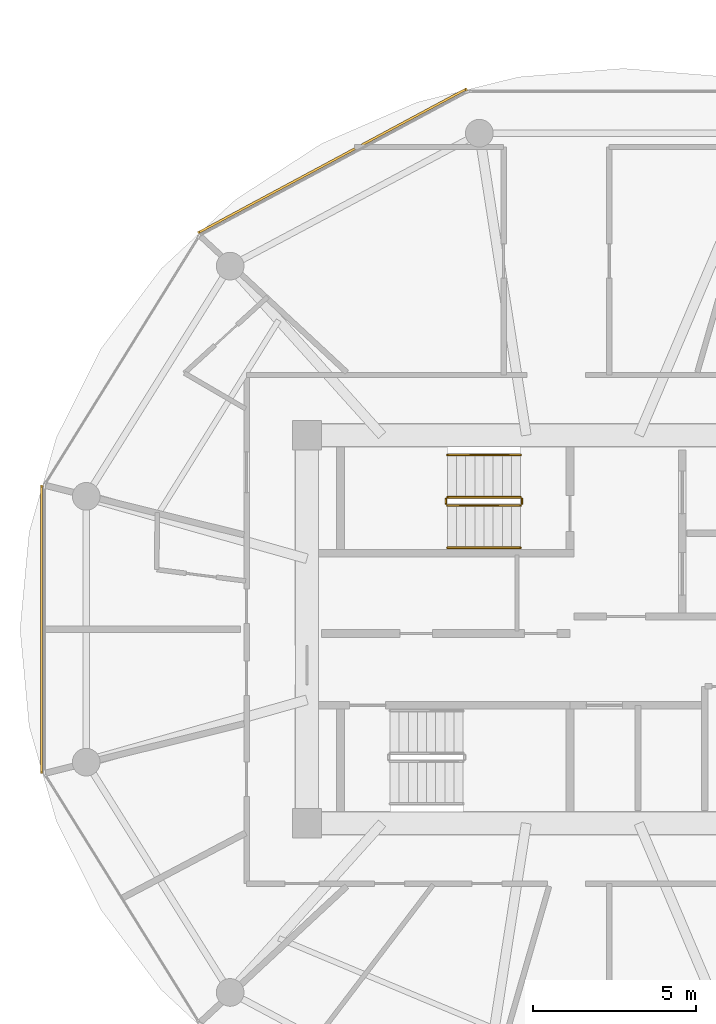
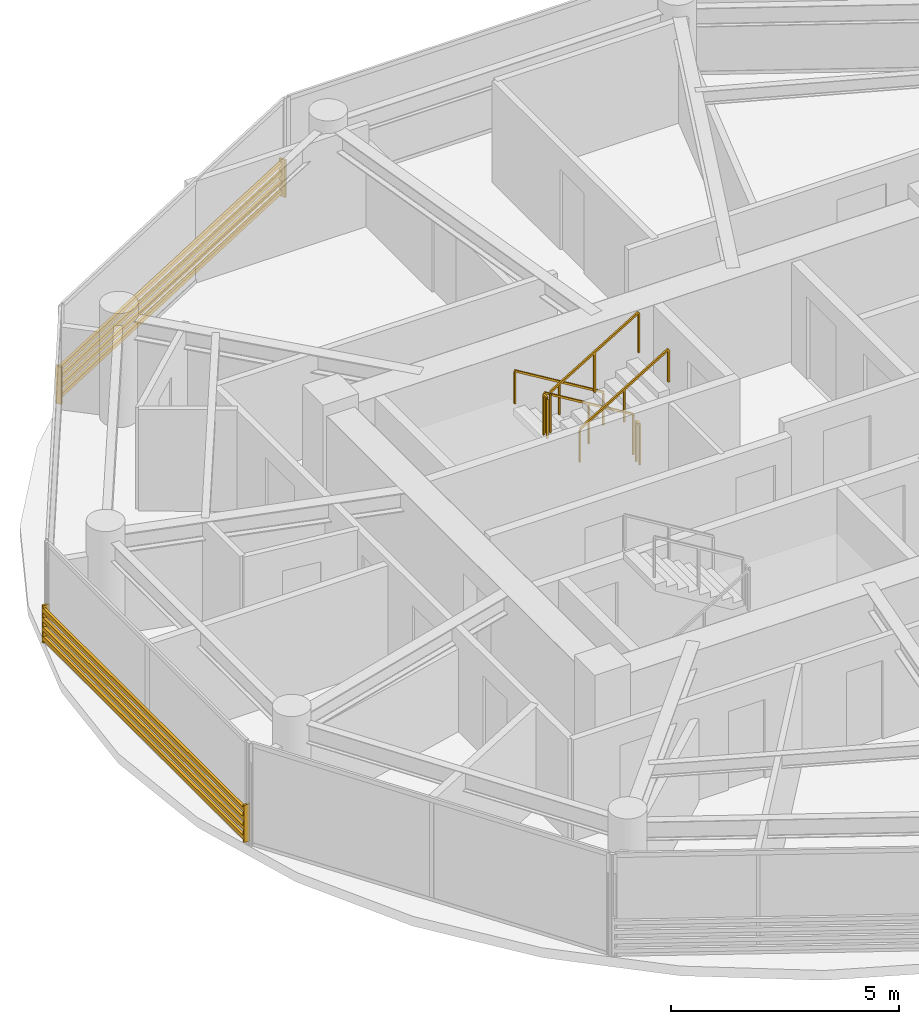
# One storey, part 20 of 22: 6 railings, 2 shading devices.
"""IFC4 building model written with IfcOpenShell, lengths in metres."""

from ifc_helpers import new_model, si_unit, direction, frame, origin, origin_2d, place, context, subcontext, project, spatial, rectangle, extrude, source, transform, mapped, material, type_object, type_shapes, element, save


model = new_model("IFC4")

# Units and contexts
model_context = context("Model", 3, precision=1e-05, world=origin(), true_north=direction((0.0, 1.0)))
body_context = subcontext(model_context, "Body", "Model", "MODEL_VIEW")
ifc_project = project(units=[si_unit("LENGTHUNIT", "METRE"), si_unit("AREAUNIT", "SQUARE_METRE"), si_unit("VOLUMEUNIT", "CUBIC_METRE"), si_unit("PLANEANGLEUNIT", "RADIAN"), si_unit("MASSUNIT", "GRAM", prefix="KILO")], contexts=[model_context])

# Site, building, storey
site_placement = place(None, origin())
site = spatial("IfcSite", under=ifc_project, at=site_placement, CompositionType="ELEMENT")
building_placement = place(site_placement, origin())
building = spatial("IfcBuilding", under=site, at=building_placement, Name="Norrkilde Senior Care Towers", CompositionType="ELEMENT")
storey_placement = place(building_placement, frame((0.0, 0.0, 126.75)))
storey = spatial("IfcBuildingStorey", under=building, at=storey_placement, Name="L39", CompositionType="ELEMENT", Elevation=126.75)

# Railings
ifc_material_1 = material(Name="Stainless Steel", Category="steel")
railing_type_1 = type_object("IfcRailingType", Name="Stair and Terrace Guardrail 1100", PredefinedType="GUARDRAIL", material=ifc_material_1)
railing_1_placement = place(storey_placement, frame((-29.10009765625, 4.050048828125, 0.16943359375)))
element("IfcRailing", 1, at=railing_1_placement, inside=storey, type_object=railing_type_1, Name="L39 ST-W1 stair guard 1", PredefinedType="GUARDRAIL", context=body_context, shape_type="SweptSolid", body=[
    extrude(rectangle(XDim=0.048095703125, YDim=0.048095703125, at=origin_2d()), frame((0.0, 0.0, 1.076171875), z_axis=(-0.855553338991, 0.0, 0.51771467445), x_axis=(0.0, -1.0, 0.0)), (0.0, 0.0, 1.0), 2.6181640625),
    extrude(rectangle(XDim=0.0419921875, YDim=0.0419921875, at=origin_2d()), origin(), (0.0, 0.0, 1.0), 1.050048828125),
    extrude(rectangle(XDim=0.0419921875, YDim=0.0419921875, at=origin_2d()), frame((-1.1201171875, 0.0, 0.677734375)), (0.0, 0.0, 1.0), 1.050048828125),
    extrude(rectangle(XDim=0.0419921875, YDim=0.0419921875, at=origin_2d()), frame((-2.239990234375, 0.0, 1.35546875)), (0.0, 0.0, 1.0), 1.050048828125),
])
railing_2_placement = place(storey_placement, frame((-31.389892578125, 4.0, 1.52490234375)))
element("IfcRailing", 2, at=railing_2_placement, inside=storey, type_object=railing_type_1, Name="L39 ST-W1 stair guard 2", PredefinedType="GUARDRAIL", context=body_context, shape_type="SweptSolid", body=[
    extrude(rectangle(XDim=0.048095703125, YDim=0.048095703125, at=origin_2d()), frame((0.0, 0.0, 1.076171875), z_axis=(0.0, -1.0, 0.0), x_axis=(1.0, 0.0, 0.0)), (0.0, 0.0, 1.0), 0.14990234375),
    extrude(rectangle(XDim=0.0419921875, YDim=0.0419921875, at=origin_2d()), origin(), (0.0, 0.0, 1.0), 1.050048828125),
    extrude(rectangle(XDim=0.0419921875, YDim=0.0419921875, at=origin_2d()), frame((0.0, -0.14990234375, 0.0)), (0.0, 0.0, 1.0), 1.050048828125),
])
railing_3_placement = place(storey_placement, frame((-31.340087890625, 3.800048828125, 1.6943359375)))
element("IfcRailing", 3, at=railing_3_placement, inside=storey, type_object=railing_type_1, Name="L39 ST-W1 stair guard 3", PredefinedType="GUARDRAIL", context=body_context, shape_type="SweptSolid", body=[
    extrude(rectangle(XDim=0.048095703125, YDim=0.048095703125, at=origin_2d()), frame((0.0, 0.0, 1.076171875), z_axis=(0.855512035549, 0.0, 0.517782924622), x_axis=(0.0, 1.0, 0.0)), (0.0, 0.0, 1.0), 2.618408203125),
    extrude(rectangle(XDim=0.0419921875, YDim=0.0419921875, at=origin_2d()), origin(), (0.0, 0.0, 1.0), 1.050048828125),
    extrude(rectangle(XDim=0.0419921875, YDim=0.0419921875, at=origin_2d()), frame((1.1201171875, 0.0, 0.677734375)), (0.0, 0.0, 1.0), 1.050048828125),
    extrude(rectangle(XDim=0.0419921875, YDim=0.0419921875, at=origin_2d()), frame((2.239990234375, 0.0, 1.355712890625)), (0.0, 0.0, 1.0), 1.050048828125),
])
railing_4_placement = place(storey_placement, frame((-29.050048828125, 4.0, 0.0)))
element("IfcRailing", 4, at=railing_4_placement, inside=storey, type_object=railing_type_1, Name="L39 ST-W1 stair guard 4", PredefinedType="GUARDRAIL", context=body_context, shape_type="SweptSolid", body=[
    extrude(rectangle(XDim=0.048095703125, YDim=0.048095703125, at=origin_2d()), frame((0.0, 0.0, 1.076171875), z_axis=(0.0, -1.0, 0.0), x_axis=(1.0, 0.0, 0.0)), (0.0, 0.0, 1.0), 0.14990234375),
    extrude(rectangle(XDim=0.0419921875, YDim=0.0419921875, at=origin_2d()), origin(), (0.0, 0.0, 1.0), 1.050048828125),
    extrude(rectangle(XDim=0.0419921875, YDim=0.0419921875, at=origin_2d()), frame((0.0, -0.14990234375, 0.0)), (0.0, 0.0, 1.0), 1.050048828125),
])
ifc_material_2 = material(Name="Nordic Ash Timber", Category="wood")
railing_type_2 = type_object("IfcRailingType", Name="Wall and Stair Handrail 900", PredefinedType="HANDRAIL", material=ifc_material_2)
railing_5_placement = place(storey_placement, frame((-29.10009765625, 5.35009765625, 0.16943359375)))
element("IfcRailing", 5, at=railing_5_placement, inside=storey, type_object=railing_type_2, Name="L39 ST-W1 stair handrail 1", PredefinedType="HANDRAIL", context=body_context, shape_type="SweptSolid", body=[
    extrude(rectangle(XDim=0.048095703125, YDim=0.048095703125, at=origin_2d()), frame((0.0, 0.0, 0.8759765625), z_axis=(-0.855553338991, 0.0, 0.51771467445), x_axis=(0.0, -1.0, 0.0)), (0.0, 0.0, 1.0), 2.6181640625),
    extrude(rectangle(XDim=0.0419921875, YDim=0.0419921875, at=origin_2d()), origin(), (0.0, 0.0, 1.0), 0.849853515625),
    extrude(rectangle(XDim=0.0419921875, YDim=0.0419921875, at=origin_2d()), frame((-1.1201171875, 0.0, 0.677734375)), (0.0, 0.0, 1.0), 0.849853515625),
    extrude(rectangle(XDim=0.0419921875, YDim=0.0419921875, at=origin_2d()), frame((-2.239990234375, 0.0, 1.35546875)), (0.0, 0.0, 1.0), 0.849853515625),
])
railing_6_placement = place(storey_placement, frame((-31.340087890625, 2.5, 1.6943359375)))
element("IfcRailing", 6, at=railing_6_placement, inside=storey, type_object=railing_type_2, Name="L39 ST-W1 stair handrail 2", PredefinedType="HANDRAIL", context=body_context, shape_type="SweptSolid", body=[
    extrude(rectangle(XDim=0.048095703125, YDim=0.048095703125, at=origin_2d()), frame((0.0, 0.0, 0.8759765625), z_axis=(0.855512035549, 0.0, 0.517782924622), x_axis=(0.0, 1.0, 0.0)), (0.0, 0.0, 1.0), 2.618408203125),
    extrude(rectangle(XDim=0.0419921875, YDim=0.0419921875, at=origin_2d()), origin(), (0.0, 0.0, 1.0), 0.849853515625),
    extrude(rectangle(XDim=0.0419921875, YDim=0.0419921875, at=origin_2d()), frame((1.1201171875, 0.0, 0.677734375)), (0.0, 0.0, 1.0), 0.849853515625),
    extrude(rectangle(XDim=0.0419921875, YDim=0.0419921875, at=origin_2d()), frame((2.239990234375, 0.0, 1.355712890625)), (0.0, 0.0, 1.0), 0.849853515625),
])

# Shading devices
ifc_material_3 = material(Name="Architectural Terracotta", Category="masonry")
shading_device_type = type_object("IfcShadingDeviceType", Name="Horizontal Terracotta Baguette Rack", PredefinedType="USERDEFINED", material=ifc_material_3)
shared_shape_1 = source(origin(), body_context, "Body", "SweptSolid", [
    extrude(rectangle(XDim=0.070068359375, YDim=0.110107421875, at=origin_2d()), frame((0.0, 0.090087890625, 0.125), z_axis=(1.0, 0.0, 0.0), x_axis=(0.0, 1.0, 0.0)), (0.0, 0.0, 1.0), 9.3505859375),
    extrude(rectangle(XDim=0.070068359375, YDim=0.110107421875, at=origin_2d()), frame((0.0, 0.090087890625, 0.375), z_axis=(1.0, 0.0, 0.0), x_axis=(0.0, 1.0, 0.0)), (0.0, 0.0, 1.0), 9.3505859375),
    extrude(rectangle(XDim=0.070068359375, YDim=0.110107421875, at=origin_2d()), frame((0.0, 0.090087890625, 0.625), z_axis=(1.0, 0.0, 0.0), x_axis=(0.0, 1.0, 0.0)), (0.0, 0.0, 1.0), 9.3505859375),
    extrude(rectangle(XDim=0.070068359375, YDim=0.110107421875, at=origin_2d()), frame((0.0, 0.090087890625, 0.875), z_axis=(1.0, 0.0, 0.0), x_axis=(0.0, 1.0, 0.0)), (0.0, 0.0, 1.0), 9.3505859375),
    extrude(rectangle(XDim=0.050048828125, YDim=0.1552734375, at=origin_2d()), frame((0.02490234375, 0.047607421875, 0.0)), (0.0, 0.0, 1.0), 1.0),
    extrude(rectangle(XDim=0.050048828125, YDim=0.1552734375, at=origin_2d()), frame((9.32568359375, 0.047607421875, 0.0)), (0.0, 0.0, 1.0), 1.0),
])
shading_device_1_placement = place(storey_placement, frame((-38.946533203125, 12.077392578125, 0.080078125), z_axis=(0.0, 0.0, 1.0), x_axis=(0.881174934726, 0.472767624021, 0.0)))
element("IfcShadingDevice", 7, at=shading_device_1_placement, inside=storey, type_object=shading_device_type, Name="L39 Drum W Terracotta Baguette Screen 03", ObjectType="BAGUETTE", PredefinedType="USERDEFINED", context=body_context, shape_type="MappedRepresentation", body=[
    mapped(shared_shape_1, transform((0.0, 0.0, 0.0), x_axis=(1.0, 0.0, 0.0), y_axis=(0.0, 1.0, 0.0), z_axis=(0.0, 0.0, 1.0), scale=1.0)),
])
shared_shape_2 = source(origin(), body_context, "Body", "SweptSolid", [
    extrude(rectangle(XDim=0.070068359375, YDim=0.110107421875, at=origin_2d()), frame((0.0, 0.090087890625, 0.125), z_axis=(1.0, 0.0, 0.0), x_axis=(0.0, 1.0, 0.0)), (0.0, 0.0, 1.0), 8.84130859375),
    extrude(rectangle(XDim=0.070068359375, YDim=0.110107421875, at=origin_2d()), frame((0.0, 0.090087890625, 0.375), z_axis=(1.0, 0.0, 0.0), x_axis=(0.0, 1.0, 0.0)), (0.0, 0.0, 1.0), 8.84130859375),
    extrude(rectangle(XDim=0.070068359375, YDim=0.110107421875, at=origin_2d()), frame((0.0, 0.090087890625, 0.625), z_axis=(1.0, 0.0, 0.0), x_axis=(0.0, 1.0, 0.0)), (0.0, 0.0, 1.0), 8.84130859375),
    extrude(rectangle(XDim=0.070068359375, YDim=0.110107421875, at=origin_2d()), frame((0.0, 0.090087890625, 0.875), z_axis=(1.0, 0.0, 0.0), x_axis=(0.0, 1.0, 0.0)), (0.0, 0.0, 1.0), 8.84130859375),
    extrude(rectangle(XDim=0.050048828125, YDim=0.1552734375, at=origin_2d()), frame((0.02490234375, 0.047607421875, 0.0)), (0.0, 0.0, 1.0), 1.0),
    extrude(rectangle(XDim=0.050048828125, YDim=0.1552734375, at=origin_2d()), frame((8.81640625, 0.047607421875, 0.0)), (0.0, 0.0, 1.0), 1.0),
])
type_shapes(shading_device_type, [shared_shape_1, shared_shape_2])
shading_device_2_placement = place(storey_placement, frame((-43.70361328125, -4.420654296875, 0.080078125), z_axis=(0.0, 0.0, 1.0), x_axis=(0.0, 1.0, 0.0)))
element("IfcShadingDevice", 8, at=shading_device_2_placement, inside=storey, type_object=shading_device_type, Name="L39 Drum W Terracotta Baguette Screen 05", ObjectType="BAGUETTE", PredefinedType="USERDEFINED", context=body_context, shape_type="MappedRepresentation", body=[
    mapped(shared_shape_2, transform((0.0, 0.0, 0.0), x_axis=(1.0, 0.0, 0.0), y_axis=(0.0, 1.0, 0.0), z_axis=(0.0, 0.0, 1.0), scale=1.0)),
])

save(model, "model.ifc")
